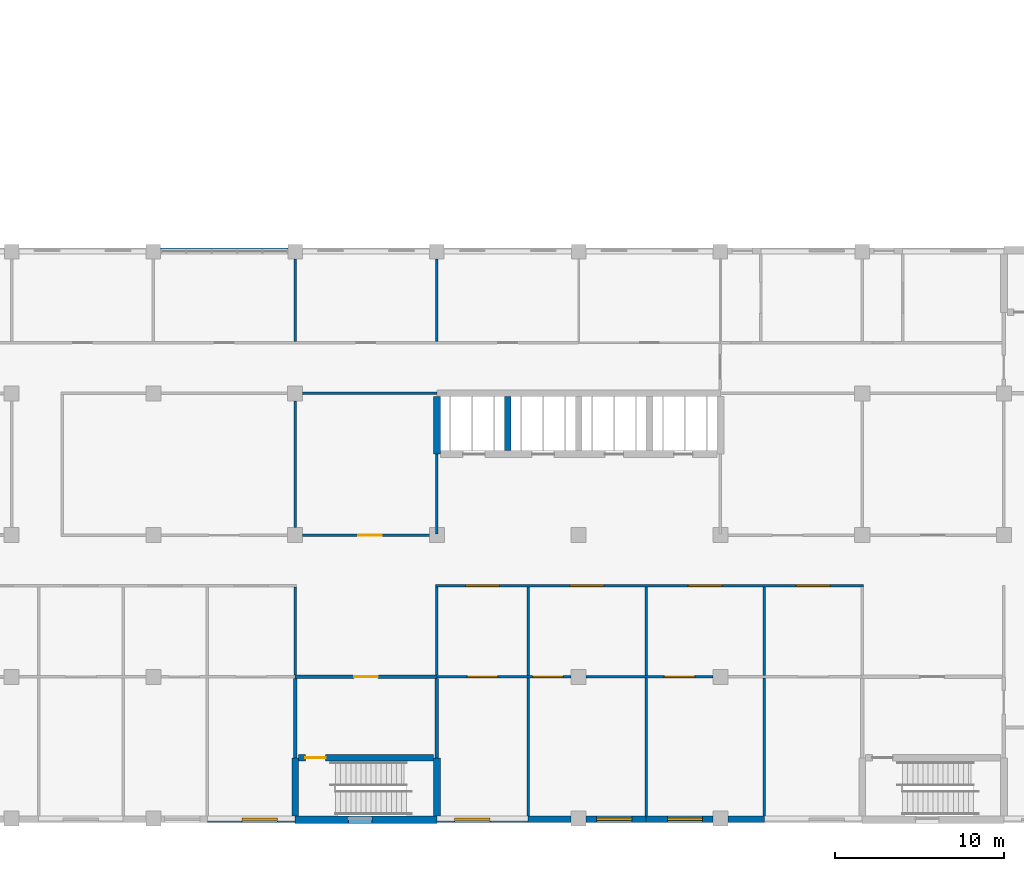
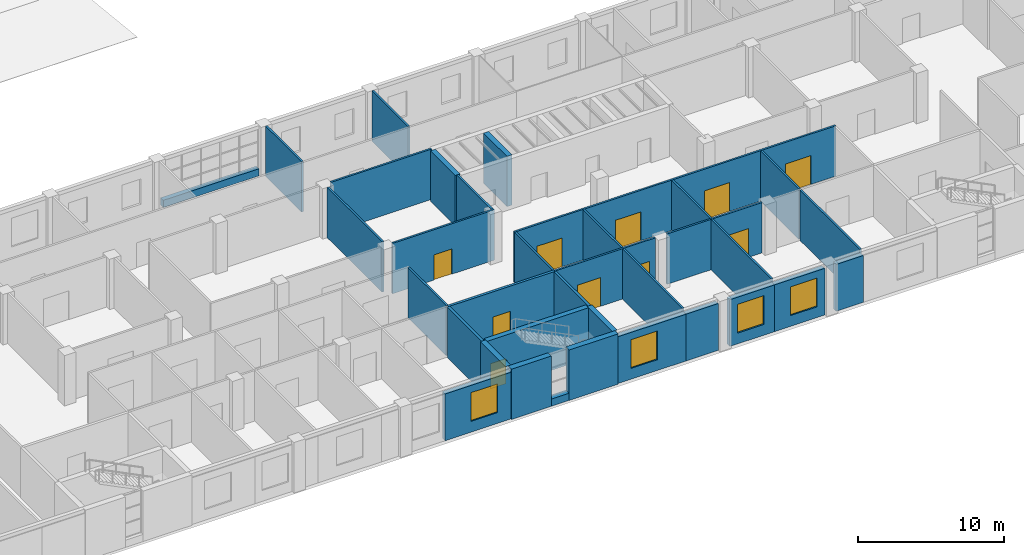
# One storey, part 38 of 66: 35 walls, 10 doors, 4 windows, 14 openings.
"""IFC4 building model written with IfcOpenShell, lengths in metres."""

from ifc_helpers import new_model, si_unit, direction, frame, frame_2d, origin, place, context, subcontext, project, spatial, rectangle, extrude, material, layer, layer_set, type_object, element, fill, save


model = new_model("IFC4")

# Units and contexts
model_context = context("Model", 3, precision=1e-05, world=origin(), true_north=direction((0.0, 1.0)))
body_context = subcontext(model_context, "Body", "Model", "MODEL_VIEW")
ifc_project = project(units=[si_unit("LENGTHUNIT", "METRE"), si_unit("AREAUNIT", "SQUARE_METRE"), si_unit("VOLUMEUNIT", "CUBIC_METRE"), si_unit("PLANEANGLEUNIT", "RADIAN"), si_unit("MASSUNIT", "GRAM", prefix="KILO")], contexts=[model_context])

# Site, building, storey
site_placement = place(None, origin())
site = spatial("IfcSite", under=ifc_project, at=site_placement, CompositionType="ELEMENT")
building_placement = place(site_placement, origin())
building = spatial("IfcBuilding", under=site, at=building_placement, Name="Yavir Park General Hospital", CompositionType="ELEMENT")
storey_placement = place(building_placement, frame((0.0, 0.0, 8.39990234375)))
storey = spatial("IfcBuildingStorey", under=building, at=storey_placement, Name="L02", CompositionType="ELEMENT", Elevation=8.39990234375)

# Wall, opening, door
ifc_material_1 = material(Name="Double gypsum board fire partition on steel studs", Category="steel")
ifc_layer_1 = layer(ifc_material_1, 0.199951171875)
ifc_layer_set_1 = layer_set([ifc_layer_1], Name="Double gypsum board fire partition on steel studs")
wall_type_1 = type_object("IfcWallType", Name="Fire-rated partition 200, EI 60", PredefinedType="PARTITIONING", material=ifc_layer_set_1)
wall_1_placement = place(storey_placement, frame((67.199951171875, 8.39990234375, 0.0), z_axis=(0.0, 0.0, 1.0), x_axis=(1.0, 0.0, 0.0)))
wall_1 = element("IfcWall", 1, at=wall_1_placement, inside=storey, type_object=wall_type_1, Name="FP20 L02-015", PredefinedType="PARTITIONING", context=body_context, shape_type="SweptSolid", body=[
    extrude(rectangle(XDim=8.400146484375, YDim=0.199951171875, at=frame_2d((4.2001953125, 0.0))), origin(), (0.0, 0.0, 1.0), 4.2001953125),
])
opening_1_placement = place(wall_1_placement, frame((3.5, 0.0, 0.0)))
opening_1 = element("IfcOpeningElement", 2, at=opening_1_placement, cuts=wall_1, Name="Opening L02.D024", PredefinedType="OPENING", context=body_context, shape_type="SweptSolid", body=[
    extrude(rectangle(XDim=1.39990234375, YDim=2.10009765625, at=frame_2d((0.699951171875, 1.050048828125))), frame((0.0, 0.10986328125, 0.0), z_axis=(0.0, -1.0, 0.0), x_axis=(1.0, 0.0, 0.0)), (0.0, 0.0, 1.0), 0.219970703125),
])
ifc_material_2 = material(Name="Steel frame, fire-resisting timber leaves", Category="steel")
door_type_1 = type_object("IfcDoorType", Name="Double fire door 1400 x 2100, EI 60", OperationType="DOUBLE_DOOR_SINGLE_SWING", PredefinedType="DOOR", material=ifc_material_2)
door_1_placement = place(opening_1_placement, origin())
door_1 = element("IfcDoor", 3, at=door_1_placement, inside=storey, type_object=door_type_1, Name="L02.D024", OperationType="SINGLE_SWING_LEFT", OverallHeight=2.10009765625, OverallWidth=1.39990234375, PredefinedType="DOOR", context=body_context, shape_type="SweptSolid", body=[
    extrude(rectangle(XDim=1.39990234375, YDim=2.10009765625, at=frame_2d((0.699951171875, 1.050048828125))), frame((0.0, 0.02490234375, 0.0), z_axis=(0.0, -1.0, 0.0), x_axis=(1.0, 0.0, 0.0)), (0.0, 0.0, 1.0), 0.050048828125),
])
fill(opening_1, door_1)

# Walls
for number, where, z_axis, x_axis, name in (
    (4, (67.199951171875, 3.60009765625, 0.0), (0.0, 0.0, 1.0), (0.0, 1.0, 0.0), "FP20 L02-249"),
    (5, (75.60009765625, 3.60009765625, 0.0), (0.0, 0.0, 1.0), (0.0, 1.0, 0.0), "FP20 L02-254"),
):
    element("IfcWall", number, at=place(storey_placement, frame(where, z_axis=z_axis, x_axis=x_axis)), inside=storey, type_object=wall_type_1, Name=name, PredefinedType="PARTITIONING", context=body_context, shape_type="SweptSolid", body=[
        extrude(rectangle(XDim=4.699951171875, YDim=0.199951171875, at=frame_2d((2.35009765625, 0.0))), origin(), (0.0, 0.0, 1.0), 4.2001953125),
    ])

# Wall, openings, doors
ifc_material_3 = material(Name="Gypsum board partition on steel studs", Category="steel")
ifc_layer_2 = layer(ifc_material_3, 0.14990234375)
ifc_layer_set_2 = layer_set([ifc_layer_2], Name="Gypsum board partition on steel studs")
wall_type_2 = type_object("IfcWallType", Name="Gypsum board partition 150", PredefinedType="PARTITIONING", material=ifc_layer_set_2)
wall_2_placement = place(storey_placement, frame((75.60009765625, 8.39990234375, 0.0), z_axis=(0.0, 0.0, 1.0), x_axis=(1.0, 0.0, 0.0)))
wall_2 = element("IfcWall", 6, at=wall_2_placement, inside=storey, type_object=wall_type_2, Name="P15 L02-016", PredefinedType="PARTITIONING", context=body_context, shape_type="SweptSolid", body=[
    extrude(rectangle(XDim=7.949951171875, YDim=0.14990234375, at=frame_2d((3.97509765625, 0.0))), origin(), (0.0, 0.0, 1.0), 4.2001953125),
])
opening_2_placement = place(wall_2_placement, frame((1.800048828125, 0.0, 0.0)))
opening_2 = element("IfcOpeningElement", 7, at=opening_2_placement, cuts=wall_2, Name="Opening L02.D025", PredefinedType="OPENING", context=body_context, shape_type="SweptSolid", body=[
    extrude(rectangle(XDim=1.800048828125, YDim=2.39990234375, at=frame_2d((0.89990234375, 1.199951171875))), frame((0.0, 0.0849609375, 0.0), z_axis=(0.0, -1.0, 0.0), x_axis=(1.0, 0.0, 0.0)), (0.0, 0.0, 1.0), 0.169921875),
])
opening_3_placement = place(wall_2_placement, frame((5.675048828125, 0.0, 0.0)))
opening_3 = element("IfcOpeningElement", 8, at=opening_3_placement, cuts=wall_2, Name="Opening L02.D026", PredefinedType="OPENING", context=body_context, shape_type="SweptSolid", body=[
    extrude(rectangle(XDim=1.800048828125, YDim=2.39990234375, at=frame_2d((0.89990234375, 1.199951171875))), frame((0.0, 0.0849609375, 0.0), z_axis=(0.0, -1.0, 0.0), x_axis=(1.0, 0.0, 0.0)), (0.0, 0.0, 1.0), 0.169921875),
])
ifc_material_4 = material(Name="Hermetic steel-faced sliding leaves, hygienic coating", Category="steel")
door_type_2 = type_object("IfcDoorType", Name="Sterile bi-parting sliding door 1800 x 2400", OperationType="DOUBLE_DOOR_SLIDING", PredefinedType="DOOR", material=ifc_material_4)
door_2_placement = place(opening_2_placement, origin())
door_2 = element("IfcDoor", 9, at=door_2_placement, inside=storey, type_object=door_type_2, Name="L02.D025", OperationType="DOUBLE_DOOR_SLIDING", OverallHeight=2.39990234375, OverallWidth=1.800048828125, PredefinedType="DOOR", context=body_context, shape_type="SweptSolid", body=[
    extrude(rectangle(XDim=1.800048828125, YDim=2.39990234375, at=frame_2d((0.89990234375, 1.199951171875))), frame((0.0, 0.044921875, 0.0), z_axis=(0.0, -1.0, 0.0), x_axis=(1.0, 0.0, 0.0)), (0.0, 0.0, 1.0), 0.090087890625),
])
fill(opening_2, door_2)
door_3_placement = place(opening_3_placement, origin())
door_3 = element("IfcDoor", 10, at=door_3_placement, inside=storey, type_object=door_type_2, Name="L02.D026", OperationType="DOUBLE_DOOR_SLIDING", OverallHeight=2.39990234375, OverallWidth=1.800048828125, PredefinedType="DOOR", context=body_context, shape_type="SweptSolid", body=[
    extrude(rectangle(XDim=1.800048828125, YDim=2.39990234375, at=frame_2d((0.89990234375, 1.199951171875))), frame((0.0, 0.044921875, 0.0), z_axis=(0.0, -1.0, 0.0), x_axis=(1.0, 0.0, 0.0)), (0.0, 0.0, 1.0), 0.090087890625),
])
fill(opening_3, door_3)

# Wall, opening, door
wall_3_placement = place(storey_placement, frame((84.449951171875, 8.39990234375, 0.0), z_axis=(0.0, 0.0, 1.0), x_axis=(1.0, 0.0, 0.0)))
wall_3 = element("IfcWall", 11, at=wall_3_placement, inside=storey, type_object=wall_type_2, Name="P15 L02-017", PredefinedType="PARTITIONING", context=body_context, shape_type="SweptSolid", body=[
    extrude(rectangle(XDim=7.5, YDim=0.14990234375, at=frame_2d((3.75, 0.0))), origin(), (0.0, 0.0, 1.0), 4.2001953125),
])
opening_4_placement = place(wall_3_placement, frame((4.625, 0.0, 0.0)))
opening_4 = element("IfcOpeningElement", 12, at=opening_4_placement, cuts=wall_3, Name="Opening L02.D027", PredefinedType="OPENING", context=body_context, shape_type="SweptSolid", body=[
    extrude(rectangle(XDim=1.800048828125, YDim=2.39990234375, at=frame_2d((0.89990234375, 1.199951171875))), frame((0.0, 0.0849609375, 0.0), z_axis=(0.0, -1.0, 0.0), x_axis=(1.0, 0.0, 0.0)), (0.0, 0.0, 1.0), 0.169921875),
])
door_4_placement = place(opening_4_placement, origin())
door_4 = element("IfcDoor", 13, at=door_4_placement, inside=storey, type_object=door_type_2, Name="L02.D027", OperationType="DOUBLE_DOOR_SLIDING", OverallHeight=2.39990234375, OverallWidth=1.800048828125, PredefinedType="DOOR", context=body_context, shape_type="SweptSolid", body=[
    extrude(rectangle(XDim=1.800048828125, YDim=2.39990234375, at=frame_2d((0.89990234375, 1.199951171875))), frame((0.0, 0.044921875, 0.0), z_axis=(0.0, -1.0, 0.0), x_axis=(1.0, 0.0, 0.0)), (0.0, 0.0, 1.0), 0.090087890625),
])
fill(opening_4, door_4)

# Wall, openings, doors
wall_4_placement = place(storey_placement, frame((75.52490234375, 13.800048828125, 0.0), z_axis=(0.0, 0.0, 1.0), x_axis=(1.0, 0.0, 0.0)))
wall_4 = element("IfcWall", 14, at=wall_4_placement, inside=storey, type_object=wall_type_2, Name="P15 L02-029", PredefinedType="PARTITIONING", context=body_context, shape_type="SweptSolid", body=[
    extrude(rectangle(XDim=25.35009765625, YDim=0.14990234375, at=frame_2d((12.675048828125, 0.0))), origin(), (0.0, 0.0, 1.0), 4.2001953125),
])
opening_5_placement = place(wall_4_placement, frame((1.77490234375, 0.0, 0.0)))
opening_5 = element("IfcOpeningElement", 15, at=opening_5_placement, cuts=wall_4, Name="Opening L02.D048", PredefinedType="OPENING", context=body_context, shape_type="SweptSolid", body=[
    extrude(rectangle(XDim=2.0, YDim=2.39990234375, at=frame_2d((1.0, 1.199951171875))), frame((0.0, 0.0849609375, 0.0), z_axis=(0.0, -1.0, 0.0), x_axis=(1.0, 0.0, 0.0)), (0.0, 0.0, 1.0), 0.169921875),
])
opening_6_placement = place(wall_4_placement, frame((7.97509765625, 0.0, 0.0)))
opening_6 = element("IfcOpeningElement", 16, at=opening_6_placement, cuts=wall_4, Name="Opening L02.D049", PredefinedType="OPENING", context=body_context, shape_type="SweptSolid", body=[
    extrude(rectangle(XDim=2.0, YDim=2.39990234375, at=frame_2d((1.0, 1.199951171875))), frame((0.0, 0.0849609375, 0.0), z_axis=(0.0, -1.0, 0.0), x_axis=(1.0, 0.0, 0.0)), (0.0, 0.0, 1.0), 0.169921875),
])
opening_7_placement = place(wall_4_placement, frame((14.97509765625, 0.0, 0.0)))
opening_7 = element("IfcOpeningElement", 17, at=opening_7_placement, cuts=wall_4, Name="Opening L02.D050", PredefinedType="OPENING", context=body_context, shape_type="SweptSolid", body=[
    extrude(rectangle(XDim=2.0, YDim=2.39990234375, at=frame_2d((1.0, 1.199951171875))), frame((0.0, 0.0849609375, 0.0), z_axis=(0.0, -1.0, 0.0), x_axis=(1.0, 0.0, 0.0)), (0.0, 0.0, 1.0), 0.169921875),
])
opening_8_placement = place(wall_4_placement, frame((21.375, 0.0, 0.0)))
opening_8 = element("IfcOpeningElement", 18, at=opening_8_placement, cuts=wall_4, Name="Opening L02.D051", PredefinedType="OPENING", context=body_context, shape_type="SweptSolid", body=[
    extrude(rectangle(XDim=2.0, YDim=2.39990234375, at=frame_2d((1.0, 1.199951171875))), frame((0.0, 0.0849609375, 0.0), z_axis=(0.0, -1.0, 0.0), x_axis=(1.0, 0.0, 0.0)), (0.0, 0.0, 1.0), 0.169921875),
])
ifc_material_5 = material(Name="Hermetic steel-faced sliding leaves, hygienic coating", Category="steel")
door_type_3 = type_object("IfcDoorType", Name="Sterile bi-parting sliding door 2000 x 2400", OperationType="DOUBLE_DOOR_SLIDING", PredefinedType="DOOR", material=ifc_material_5)
door_5_placement = place(opening_5_placement, origin())
door_5 = element("IfcDoor", 19, at=door_5_placement, inside=storey, type_object=door_type_3, Name="L02.D048", OperationType="DOUBLE_DOOR_SLIDING", OverallHeight=2.39990234375, OverallWidth=2.0, PredefinedType="DOOR", context=body_context, shape_type="SweptSolid", body=[
    extrude(rectangle(XDim=2.0, YDim=2.39990234375, at=frame_2d((1.0, 1.199951171875))), frame((0.0, 0.044921875, 0.0), z_axis=(0.0, -1.0, 0.0), x_axis=(1.0, 0.0, 0.0)), (0.0, 0.0, 1.0), 0.090087890625),
])
fill(opening_5, door_5)
door_6_placement = place(opening_6_placement, origin())
door_6 = element("IfcDoor", 20, at=door_6_placement, inside=storey, type_object=door_type_3, Name="L02.D049", OperationType="DOUBLE_DOOR_SLIDING", OverallHeight=2.39990234375, OverallWidth=2.0, PredefinedType="DOOR", context=body_context, shape_type="SweptSolid", body=[
    extrude(rectangle(XDim=2.0, YDim=2.39990234375, at=frame_2d((1.0, 1.199951171875))), frame((0.0, 0.044921875, 0.0), z_axis=(0.0, -1.0, 0.0), x_axis=(1.0, 0.0, 0.0)), (0.0, 0.0, 1.0), 0.090087890625),
])
fill(opening_6, door_6)
door_7_placement = place(opening_7_placement, origin())
door_7 = element("IfcDoor", 21, at=door_7_placement, inside=storey, type_object=door_type_3, Name="L02.D050", OperationType="DOUBLE_DOOR_SLIDING", OverallHeight=2.39990234375, OverallWidth=2.0, PredefinedType="DOOR", context=body_context, shape_type="SweptSolid", body=[
    extrude(rectangle(XDim=2.0, YDim=2.39990234375, at=frame_2d((1.0, 1.199951171875))), frame((0.0, 0.044921875, 0.0), z_axis=(0.0, -1.0, 0.0), x_axis=(1.0, 0.0, 0.0)), (0.0, 0.0, 1.0), 0.090087890625),
])
fill(opening_7, door_7)
door_8_placement = place(opening_8_placement, origin())
door_8 = element("IfcDoor", 22, at=door_8_placement, inside=storey, type_object=door_type_3, Name="L02.D051", OperationType="DOUBLE_DOOR_SLIDING", OverallHeight=2.39990234375, OverallWidth=2.0, PredefinedType="DOOR", context=body_context, shape_type="SweptSolid", body=[
    extrude(rectangle(XDim=2.0, YDim=2.39990234375, at=frame_2d((1.0, 1.199951171875))), frame((0.0, 0.044921875, 0.0), z_axis=(0.0, -1.0, 0.0), x_axis=(1.0, 0.0, 0.0)), (0.0, 0.0, 1.0), 0.090087890625),
])
fill(opening_8, door_8)

# Wall, opening, door
wall_5_placement = place(storey_placement, frame((67.64990234375, 16.800048828125, 0.0), z_axis=(0.0, 0.0, 1.0), x_axis=(1.0, 0.0, 0.0)))
wall_5 = element("IfcWall", 23, at=wall_5_placement, inside=storey, type_object=wall_type_2, Name="P15 L02-042", PredefinedType="PARTITIONING", context=body_context, shape_type="SweptSolid", body=[
    extrude(rectangle(XDim=8.025146484375, YDim=0.14990234375, at=frame_2d((4.0126953125, 0.0))), origin(), (0.0, 0.0, 1.0), 4.2001953125),
])
opening_9_placement = place(wall_5_placement, frame((3.27490234375, 0.0, 0.0)))
opening_9 = element("IfcOpeningElement", 24, at=opening_9_placement, cuts=wall_5, Name="Opening L02.D058", PredefinedType="OPENING", context=body_context, shape_type="SweptSolid", body=[
    extrude(rectangle(XDim=1.39990234375, YDim=2.10009765625, at=frame_2d((0.699951171875, 1.050048828125))), frame((0.0, 0.0849609375, 0.0), z_axis=(0.0, -1.0, 0.0), x_axis=(1.0, 0.0, 0.0)), (0.0, 0.0, 1.0), 0.169921875),
])
ifc_material_6 = material(Name="Hollow metal frame, solid-core timber leaf", Category="wood")
door_type_4 = type_object("IfcDoorType", Name="Double swing door 1400 x 2100", OperationType="DOUBLE_DOOR_SINGLE_SWING", PredefinedType="DOOR", material=ifc_material_6)
door_9_placement = place(opening_9_placement, origin())
door_9 = element("IfcDoor", 25, at=door_9_placement, inside=storey, type_object=door_type_4, Name="L02.D058", OperationType="SINGLE_SWING_LEFT", OverallHeight=2.10009765625, OverallWidth=1.39990234375, PredefinedType="DOOR", context=body_context, shape_type="SweptSolid", body=[
    extrude(rectangle(XDim=1.39990234375, YDim=2.10009765625, at=frame_2d((0.699951171875, 1.050048828125))), frame((0.0, 0.02490234375, 0.0), z_axis=(0.0, -1.0, 0.0), x_axis=(1.0, 0.0, 0.0)), (0.0, 0.0, 1.0), 0.050048828125),
])
fill(opening_9, door_9)

# Walls
wall_6_placement = place(storey_placement, frame((67.64990234375, 25.199951171875, 0.0), z_axis=(0.0, 0.0, 1.0), x_axis=(1.0, 0.0, 0.0)))
element("IfcWall", 26, at=wall_6_placement, inside=storey, type_object=wall_type_2, Name="P15 L02-063", PredefinedType="PARTITIONING", context=body_context, shape_type="SweptSolid", body=[
    extrude(rectangle(XDim=7.9501953125, YDim=0.14990234375, at=frame_2d((3.97509765625, 0.0))), origin(), (0.0, 0.0, 1.0), 4.2001953125),
])
wall_7_placement = place(storey_placement, frame((67.199951171875, 8.5, 0.0), z_axis=(0.0, 0.0, 1.0), x_axis=(0.0, 1.0, 0.0)))
element("IfcWall", 27, at=wall_7_placement, inside=storey, type_object=wall_type_2, Name="P15 L02-250", PredefinedType="PARTITIONING", context=body_context, shape_type="SweptSolid", body=[
    extrude(rectangle(XDim=5.22509765625, YDim=0.14990234375, at=frame_2d((2.612548828125, 0.0))), origin(), (0.0, 0.0, 1.0), 4.2001953125),
])
wall_8_placement = place(storey_placement, frame((67.199951171875, 17.25, 0.0), z_axis=(0.0, 0.0, 1.0), x_axis=(0.0, 1.0, 0.0)))
element("IfcWall", 28, at=wall_8_placement, inside=storey, type_object=wall_type_2, Name="P15 L02-251", PredefinedType="PARTITIONING", context=body_context, shape_type="SweptSolid", body=[
    extrude(rectangle(XDim=7.5, YDim=0.14990234375, at=frame_2d((3.75, 0.0))), origin(), (0.0, 0.0, 1.0), 4.2001953125),
])
wall_9_placement = place(storey_placement, frame((67.199951171875, 28.27490234375, 0.0), z_axis=(0.0, 0.0, 1.0), x_axis=(0.0, 1.0, 0.0)))
element("IfcWall", 29, at=wall_9_placement, inside=storey, type_object=wall_type_2, Name="P15 L02-252", PredefinedType="PARTITIONING", context=body_context, shape_type="SweptSolid", body=[
    extrude(rectangle(XDim=4.900146484375, YDim=0.14990234375, at=frame_2d((2.4501953125, 0.0))), origin(), (0.0, 0.0, 1.0), 4.2001953125),
])
wall_10_placement = place(storey_placement, frame((75.60009765625, 8.5, 0.0), z_axis=(0.0, 0.0, 1.0), x_axis=(0.0, 1.0, 0.0)))
element("IfcWall", 30, at=wall_10_placement, inside=storey, type_object=wall_type_2, Name="P15 L02-255", PredefinedType="PARTITIONING", context=body_context, shape_type="SweptSolid", body=[
    extrude(rectangle(XDim=5.22509765625, YDim=0.14990234375, at=frame_2d((2.612548828125, 0.0))), origin(), (0.0, 0.0, 1.0), 4.2001953125),
])
wall_11_placement = place(storey_placement, frame((75.60009765625, 16.875, 0.0), z_axis=(0.0, 0.0, 1.0), x_axis=(0.0, 1.0, 0.0)))
element("IfcWall", 31, at=wall_11_placement, inside=storey, type_object=wall_type_2, Name="P15 L02-256", PredefinedType="PARTITIONING", context=body_context, shape_type="SweptSolid", body=[
    extrude(rectangle(XDim=4.72509765625, YDim=0.14990234375, at=frame_2d((2.362548828125, 0.0))), origin(), (0.0, 0.0, 1.0), 4.2001953125),
])
wall_12_placement = place(storey_placement, frame((75.60009765625, 28.27490234375, 0.0), z_axis=(0.0, 0.0, 1.0), x_axis=(0.0, 1.0, 0.0)))
element("IfcWall", 32, at=wall_12_placement, inside=storey, type_object=wall_type_2, Name="P15 L02-258", PredefinedType="PARTITIONING", context=body_context, shape_type="SweptSolid", body=[
    extrude(rectangle(XDim=4.900146484375, YDim=0.14990234375, at=frame_2d((2.4501953125, 0.0))), origin(), (0.0, 0.0, 1.0), 4.2001953125),
])
wall_13_placement = place(storey_placement, frame((81.0, 0.14990234375, 0.0), z_axis=(0.0, 0.0, 1.0), x_axis=(0.0, 1.0, 0.0)))
element("IfcWall", 33, at=wall_13_placement, inside=storey, type_object=wall_type_2, Name="P15 L02-260", PredefinedType="PARTITIONING", context=body_context, shape_type="SweptSolid", body=[
    extrude(rectangle(XDim=8.175048828125, YDim=0.14990234375, at=frame_2d((4.08740234375, 0.0))), origin(), (0.0, 0.0, 1.0), 4.2001953125),
])
wall_14_placement = place(storey_placement, frame((81.0, 8.47509765625, 0.0), z_axis=(0.0, 0.0, 1.0), x_axis=(0.0, 1.0, 0.0)))
element("IfcWall", 34, at=wall_14_placement, inside=storey, type_object=wall_type_2, Name="P15 L02-261", PredefinedType="PARTITIONING", context=body_context, shape_type="SweptSolid", body=[
    extrude(rectangle(XDim=5.25, YDim=0.14990234375, at=frame_2d((2.625, 0.0))), origin(), (0.0, 0.0, 1.0), 4.2001953125),
])
wall_15_placement = place(storey_placement, frame((88.0, 0.14990234375, 0.0), z_axis=(0.0, 0.0, 1.0), x_axis=(0.0, 1.0, 0.0)))
element("IfcWall", 35, at=wall_15_placement, inside=storey, type_object=wall_type_2, Name="P15 L02-264", PredefinedType="PARTITIONING", context=body_context, shape_type="SweptSolid", body=[
    extrude(rectangle(XDim=8.175048828125, YDim=0.14990234375, at=frame_2d((4.08740234375, 0.0))), origin(), (0.0, 0.0, 1.0), 4.2001953125),
])
wall_16_placement = place(storey_placement, frame((88.0, 8.47509765625, 0.0), z_axis=(0.0, 0.0, 1.0), x_axis=(0.0, 1.0, 0.0)))
element("IfcWall", 36, at=wall_16_placement, inside=storey, type_object=wall_type_2, Name="P15 L02-265", PredefinedType="PARTITIONING", context=body_context, shape_type="SweptSolid", body=[
    extrude(rectangle(XDim=5.25, YDim=0.14990234375, at=frame_2d((2.625, 0.0))), origin(), (0.0, 0.0, 1.0), 4.2001953125),
])
wall_17_placement = place(storey_placement, frame((95.0, 0.14990234375, 0.0), z_axis=(0.0, 0.0, 1.0), x_axis=(0.0, 1.0, 0.0)))
element("IfcWall", 37, at=wall_17_placement, inside=storey, type_object=wall_type_2, Name="P15 L02-272", PredefinedType="PARTITIONING", context=body_context, shape_type="SweptSolid", body=[
    extrude(rectangle(XDim=8.175048828125, YDim=0.14990234375, at=frame_2d((4.08740234375, 0.0))), origin(), (0.0, 0.0, 1.0), 4.2001953125),
])
wall_18_placement = place(storey_placement, frame((95.0, 8.47509765625, 0.0), z_axis=(0.0, 0.0, 1.0), x_axis=(0.0, 1.0, 0.0)))
element("IfcWall", 38, at=wall_18_placement, inside=storey, type_object=wall_type_2, Name="P15 L02-273", PredefinedType="PARTITIONING", context=body_context, shape_type="SweptSolid", body=[
    extrude(rectangle(XDim=5.25, YDim=0.14990234375, at=frame_2d((2.625, 0.0))), origin(), (0.0, 0.0, 1.0), 4.2001953125),
])

# Wall, opening, window
ifc_material_7 = material(Name="Autoclaved aerated block, 150 mm mineral wool and sand-coloured mineral render")
ifc_layer_3 = layer(ifc_material_7, 0.375)
ifc_layer_set_3 = layer_set([ifc_layer_3], Name="Autoclaved aerated block, 150 mm mineral wool and sand-coloured mineral render")
wall_type_3 = type_object("IfcWallType", Name="Mineral render clinical wall 375, E 30", PredefinedType="SOLIDWALL", material=ifc_layer_set_3)
wall_19_placement = place(storey_placement, frame((62.0, -0.03759765625, 0.0), z_axis=(0.0, 0.0, 1.0), x_axis=(1.0, 0.0, 0.0)))
wall_19 = element("IfcWall", 39, at=wall_19_placement, inside=storey, type_object=wall_type_3, Name="XW1 L02-015", PredefinedType="SOLIDWALL", context=body_context, shape_type="SweptSolid", body=[
    extrude(rectangle(XDim=5.199951171875, YDim=0.375, at=frame_2d((2.60009765625, 0.0))), origin(), (0.0, 0.0, 1.0), 3.900146484375),
])
opening_10_placement = place(wall_19_placement, frame((2.050048828125, 0.0, 0.89990234375)))
opening_10 = element("IfcOpeningElement", 40, at=opening_10_placement, cuts=wall_19, Name="Opening LVO2", PredefinedType="OPENING", context=body_context, shape_type="SweptSolid", body=[
    extrude(rectangle(XDim=2.10009765625, YDim=2.39990234375, at=frame_2d((1.050048828125, 1.199951171875))), frame((0.0, 0.197509765625, 0.0), z_axis=(0.0, -1.0, 0.0), x_axis=(1.0, 0.0, 0.0)), (0.0, 0.0, 1.0), 0.39501953125),
])
ifc_material_8 = material(Name="Anodised aluminium louvre blades in a deep frame", Category="aluminium")
window_type = type_object("IfcWindowType", Name="Tall fixed louvre panel with insulated back panel 2100 x 2400", PartitioningType="SINGLE_PANEL", PredefinedType="WINDOW", material=ifc_material_8)
window_1_placement = place(opening_10_placement, origin())
window_1 = element("IfcWindow", 41, at=window_1_placement, inside=storey, type_object=window_type, Name="LVO2 L02-005", OverallHeight=2.39990234375, OverallWidth=2.10009765625, PartitioningType="SINGLE_PANEL", PredefinedType="WINDOW", context=body_context, shape_type="SweptSolid", body=[
    extrude(rectangle(XDim=2.10009765625, YDim=2.39990234375, at=frame_2d((1.050048828125, 1.199951171875))), frame((0.0, 0.074951171875, 0.0), z_axis=(0.0, -1.0, 0.0), x_axis=(1.0, 0.0, 0.0)), (0.0, 0.0, 1.0), 0.14990234375),
])
fill(opening_10, window_1)

wall_20_placement = place(storey_placement, frame((75.60009765625, -0.03759765625, 0.0), z_axis=(0.0, 0.0, 1.0), x_axis=(1.0, 0.0, 0.0)))
wall_20 = element("IfcWall", 42, at=wall_20_placement, inside=storey, type_object=wall_type_3, Name="XW1 L02-019", PredefinedType="SOLIDWALL", context=body_context, shape_type="SweptSolid", body=[
    extrude(rectangle(XDim=5.39990234375, YDim=0.375, at=frame_2d((2.699951171875, 0.0))), origin(), (0.0, 0.0, 1.0), 3.900146484375),
])
opening_11_placement = place(wall_20_placement, frame((1.050048828125, 0.0, 0.89990234375)))
opening_11 = element("IfcOpeningElement", 43, at=opening_11_placement, cuts=wall_20, Name="Opening LVO2", PredefinedType="OPENING", context=body_context, shape_type="SweptSolid", body=[
    extrude(rectangle(XDim=2.10009765625, YDim=2.39990234375, at=frame_2d((1.050048828125, 1.199951171875))), frame((0.0, 0.197509765625, 0.0), z_axis=(0.0, -1.0, 0.0), x_axis=(1.0, 0.0, 0.0)), (0.0, 0.0, 1.0), 0.39501953125),
])
window_2_placement = place(opening_11_placement, origin())
window_2 = element("IfcWindow", 44, at=window_2_placement, inside=storey, type_object=window_type, Name="LVO2 L02-006", OverallHeight=2.39990234375, OverallWidth=2.10009765625, PartitioningType="SINGLE_PANEL", PredefinedType="WINDOW", context=body_context, shape_type="SweptSolid", body=[
    extrude(rectangle(XDim=2.10009765625, YDim=2.39990234375, at=frame_2d((1.050048828125, 1.199951171875))), frame((0.0, 0.074951171875, 0.0), z_axis=(0.0, -1.0, 0.0), x_axis=(1.0, 0.0, 0.0)), (0.0, 0.0, 1.0), 0.14990234375),
])
fill(opening_11, window_2)

# Wall
wall_21_placement = place(storey_placement, frame((81.0, -0.03759765625, 0.0), z_axis=(0.0, 0.0, 1.0), x_axis=(1.0, 0.0, 0.0)))
element("IfcWall", 45, at=wall_21_placement, inside=storey, type_object=wall_type_3, Name="XW1 L02-020", PredefinedType="SOLIDWALL", context=body_context, shape_type="SweptSolid", body=[
    extrude(rectangle(XDim=2.550048828125, YDim=0.375, at=frame_2d((1.27490234375, 0.0))), origin(), (0.0, 0.0, 1.0), 3.900146484375),
])

# Wall, opening, window
wall_22_placement = place(storey_placement, frame((84.449951171875, -0.03759765625, 0.0), z_axis=(0.0, 0.0, 1.0), x_axis=(1.0, 0.0, 0.0)))
wall_22 = element("IfcWall", 46, at=wall_22_placement, inside=storey, type_object=wall_type_3, Name="XW1 L02-021", PredefinedType="SOLIDWALL", context=body_context, shape_type="SweptSolid", body=[
    extrude(rectangle(XDim=3.550048828125, YDim=0.375, at=frame_2d((1.77490234375, 0.0))), origin(), (0.0, 0.0, 1.0), 3.900146484375),
])
opening_12_placement = place(wall_22_placement, frame((0.60009765625, 0.0, 0.89990234375)))
opening_12 = element("IfcOpeningElement", 47, at=opening_12_placement, cuts=wall_22, Name="Opening LVO2", PredefinedType="OPENING", context=body_context, shape_type="SweptSolid", body=[
    extrude(rectangle(XDim=2.10009765625, YDim=2.39990234375, at=frame_2d((1.050048828125, 1.199951171875))), frame((0.0, 0.197509765625, 0.0), z_axis=(0.0, -1.0, 0.0), x_axis=(1.0, 0.0, 0.0)), (0.0, 0.0, 1.0), 0.39501953125),
])
window_3_placement = place(opening_12_placement, origin())
window_3 = element("IfcWindow", 48, at=window_3_placement, inside=storey, type_object=window_type, Name="LVO2 L02-007", OverallHeight=2.39990234375, OverallWidth=2.10009765625, PartitioningType="SINGLE_PANEL", PredefinedType="WINDOW", context=body_context, shape_type="SweptSolid", body=[
    extrude(rectangle(XDim=2.10009765625, YDim=2.39990234375, at=frame_2d((1.050048828125, 1.199951171875))), frame((0.0, 0.074951171875, 0.0), z_axis=(0.0, -1.0, 0.0), x_axis=(1.0, 0.0, 0.0)), (0.0, 0.0, 1.0), 0.14990234375),
])
fill(opening_12, window_3)

wall_23_placement = place(storey_placement, frame((88.0, -0.03759765625, 0.0), z_axis=(0.0, 0.0, 1.0), x_axis=(1.0, 0.0, 0.0)))
wall_23 = element("IfcWall", 49, at=wall_23_placement, inside=storey, type_object=wall_type_3, Name="XW1 L02-022", PredefinedType="SOLIDWALL", context=body_context, shape_type="SweptSolid", body=[
    extrude(rectangle(XDim=3.949951171875, YDim=0.375, at=frame_2d((1.97509765625, 0.0))), origin(), (0.0, 0.0, 1.0), 3.900146484375),
])
opening_13_placement = place(wall_23_placement, frame((1.25, 0.0, 0.89990234375)))
opening_13 = element("IfcOpeningElement", 50, at=opening_13_placement, cuts=wall_23, Name="Opening LVO2", PredefinedType="OPENING", context=body_context, shape_type="SweptSolid", body=[
    extrude(rectangle(XDim=2.10009765625, YDim=2.39990234375, at=frame_2d((1.050048828125, 1.199951171875))), frame((0.0, 0.197509765625, 0.0), z_axis=(0.0, -1.0, 0.0), x_axis=(1.0, 0.0, 0.0)), (0.0, 0.0, 1.0), 0.39501953125),
])
window_4_placement = place(opening_13_placement, origin())
window_4 = element("IfcWindow", 51, at=window_4_placement, inside=storey, type_object=window_type, Name="LVO2 L02-008", OverallHeight=2.39990234375, OverallWidth=2.10009765625, PartitioningType="SINGLE_PANEL", PredefinedType="WINDOW", context=body_context, shape_type="SweptSolid", body=[
    extrude(rectangle(XDim=2.10009765625, YDim=2.39990234375, at=frame_2d((1.050048828125, 1.199951171875))), frame((0.0, 0.074951171875, 0.0), z_axis=(0.0, -1.0, 0.0), x_axis=(1.0, 0.0, 0.0)), (0.0, 0.0, 1.0), 0.14990234375),
])
fill(opening_13, window_4)

# Walls
wall_24_placement = place(storey_placement, frame((92.85009765625, -0.03759765625, 0.0), z_axis=(0.0, 0.0, 1.0), x_axis=(1.0, 0.0, 0.0)))
element("IfcWall", 52, at=wall_24_placement, inside=storey, type_object=wall_type_3, Name="XW1 L02-023", PredefinedType="SOLIDWALL", context=body_context, shape_type="SweptSolid", body=[
    extrude(rectangle(XDim=2.14990234375, YDim=0.375, at=frame_2d((1.074951171875, 0.0))), origin(), (0.0, 0.0, 1.0), 3.900146484375),
])
wall_25_placement = place(storey_placement, frame((59.22509765625, 33.637451171875, 0.0), z_axis=(0.0, 0.0, 1.0), x_axis=(1.0, 0.0, 0.0)))
element("IfcWall", 53, at=wall_25_placement, inside=storey, type_object=wall_type_3, Name="XW1 L02-052", PredefinedType="SOLIDWALL", context=body_context, shape_type="SweptSolid", body=[
    extrude(rectangle(XDim=7.5498046875, YDim=0.375, at=frame_2d((3.77490234375, 0.0))), origin(), (0.0, 0.0, 1.0), 0.60009765625),
])

# Wall, opening, door
ifc_material_9 = material(Name="Concrete C35/45", Category="concrete")
ifc_layer_4 = layer(ifc_material_9, 0.39990234375)
ifc_layer_set_4 = layer_set([ifc_layer_4], Name="Concrete C35/45")
wall_type_4 = type_object("IfcWallType", Name="Reinforced concrete core wall 400, REI 150", PredefinedType="SHEAR", material=ifc_layer_set_4)
wall_26_placement = place(storey_placement, frame((67.39990234375, 3.60009765625, 0.0), z_axis=(0.0, 0.0, 1.0), x_axis=(1.0, 0.0, 0.0)))
wall_26 = element("IfcWall", 54, at=wall_26_placement, inside=storey, type_object=wall_type_4, Name="CW40 L02-002", PredefinedType="SHEAR", context=body_context, shape_type="SweptSolid", body=[
    extrude(rectangle(XDim=8.0, YDim=0.39990234375, at=frame_2d((4.0, 0.0))), origin(), (0.0, 0.0, 1.0), 4.2001953125),
])
opening_14_placement = place(wall_26_placement, frame((0.39990234375, 0.0, 0.0)))
opening_14 = element("IfcOpeningElement", 55, at=opening_14_placement, cuts=wall_26, Name="Opening L02.D002", PredefinedType="OPENING", context=body_context, shape_type="SweptSolid", body=[
    extrude(rectangle(XDim=1.199951171875, YDim=2.10009765625, at=frame_2d((0.60009765625, 1.050048828125))), frame((0.0, 0.2099609375, 0.0), z_axis=(0.0, -1.0, 0.0), x_axis=(1.0, 0.0, 0.0)), (0.0, 0.0, 1.0), 0.419921875),
])
ifc_material_10 = material(Name="Steel frame, fire-resisting timber leaf", Category="steel")
door_type_5 = type_object("IfcDoorType", Name="Fire door 1200 x 2100, EI 60", OperationType="SINGLE_SWING_LEFT", PredefinedType="DOOR", material=ifc_material_10)
door_10_placement = place(opening_14_placement, origin())
door_10 = element("IfcDoor", 56, at=door_10_placement, inside=storey, type_object=door_type_5, Name="L02.D002", OperationType="SINGLE_SWING_LEFT", OverallHeight=2.10009765625, OverallWidth=1.199951171875, PredefinedType="DOOR", context=body_context, shape_type="SweptSolid", body=[
    extrude(rectangle(XDim=1.199951171875, YDim=2.10009765625, at=frame_2d((0.60009765625, 1.050048828125))), frame((0.0, 0.02490234375, 0.0), z_axis=(0.0, -1.0, 0.0), x_axis=(1.0, 0.0, 0.0)), (0.0, 0.0, 1.0), 0.050048828125),
])
fill(opening_14, door_10)

# Walls
for number, where, z_axis, x_axis, name in (
    (57, (67.199951171875, 0.14990234375, 0.0), (0.0, 0.0, 1.0), (0.0, 1.0, 0.0), "CW40 L02-248"),
    (58, (75.60009765625, 0.14990234375, 0.0), (0.0, 0.0, 1.0), (0.0, 1.0, 0.0), "CW40 L02-253"),
):
    element("IfcWall", number, at=place(storey_placement, frame(where, z_axis=z_axis, x_axis=x_axis)), inside=storey, type_object=wall_type_4, Name=name, PredefinedType="SHEAR", context=body_context, shape_type="SweptSolid", body=[
        extrude(rectangle(XDim=3.4501953125, YDim=0.39990234375, at=frame_2d((1.72509765625, 0.0))), origin(), (0.0, 0.0, 1.0), 4.2001953125),
    ])
wall_27_placement = place(storey_placement, frame((75.60009765625, 21.60009765625, 0.0), z_axis=(0.0, 0.0, 1.0), x_axis=(0.0, 1.0, 0.0)))
element("IfcWall", 59, at=wall_27_placement, inside=storey, type_object=wall_type_4, Name="CW40 L02-257", PredefinedType="SHEAR", context=body_context, shape_type="SweptSolid", body=[
    extrude(rectangle(XDim=3.39990234375, YDim=0.39990234375, at=frame_2d((1.699951171875, 0.0))), origin(), (0.0, 0.0, 1.0), 4.2001953125),
])
wall_28_placement = place(storey_placement, frame((79.800048828125, 21.800048828125, 0.0), z_axis=(0.0, 0.0, 1.0), x_axis=(0.0, 1.0, 0.0)))
element("IfcWall", 60, at=wall_28_placement, inside=storey, type_object=wall_type_4, Name="CW40 L02-259", PredefinedType="SHEAR", context=body_context, shape_type="SweptSolid", body=[
    extrude(rectangle(XDim=3.199951171875, YDim=0.39990234375, at=frame_2d((1.60009765625, 0.0))), origin(), (0.0, 0.0, 1.0), 4.2001953125),
])
ifc_material_11 = material(Name="Concrete C30/37 precast panel with 150 mm mineral wool insulation", Category="concrete")
ifc_layer_5 = layer(ifc_material_11, 0.449951171875)
ifc_layer_set_5 = layer_set([ifc_layer_5], Name="Concrete C30/37 precast panel with 150 mm mineral wool insulation")
wall_type_5 = type_object("IfcWallType", Name="Stair enclosure wall 450, REI 150", PredefinedType="SOLIDWALL", material=ifc_layer_set_5)
wall_29_placement = place(storey_placement, frame((67.199951171875, -0.074951171875, 0.0), z_axis=(0.0, 0.0, 1.0), x_axis=(1.0, 0.0, 0.0)))
element("IfcWall", 61, at=wall_29_placement, inside=storey, type_object=wall_type_5, Name="XW6 L02-016", PredefinedType="SOLIDWALL", context=body_context, shape_type="SweptSolid", body=[
    extrude(rectangle(XDim=3.150146484375, YDim=0.449951171875, at=frame_2d((1.5751953125, 0.0))), origin(), (0.0, 0.0, 1.0), 4.2001953125),
])
wall_30_placement = place(storey_placement, frame((71.75, -0.074951171875, 0.0), z_axis=(0.0, 0.0, 1.0), x_axis=(1.0, 0.0, 0.0)))
element("IfcWall", 62, at=wall_30_placement, inside=storey, type_object=wall_type_5, Name="XW6 L02-017", PredefinedType="SOLIDWALL", context=body_context, shape_type="SweptSolid", body=[
    extrude(rectangle(XDim=3.85009765625, YDim=0.449951171875, at=frame_2d((1.925048828125, 0.0))), origin(), (0.0, 0.0, 1.0), 4.2001953125),
])
wall_31_placement = place(storey_placement, frame((70.35009765625, -0.074951171875, 0.0), z_axis=(0.0, 0.0, 1.0), x_axis=(1.0, 0.0, 0.0)))
element("IfcWall", 63, at=wall_31_placement, inside=storey, type_object=wall_type_5, Name="XW6 L02-018", PredefinedType="SOLIDWALL", context=body_context, shape_type="SweptSolid", body=[
    extrude(rectangle(XDim=1.39990234375, YDim=0.449951171875, at=frame_2d((0.699951171875, 0.0))), origin(), (0.0, 0.0, 1.0), 0.60009765625),
])

save(model, "model.ifc")
